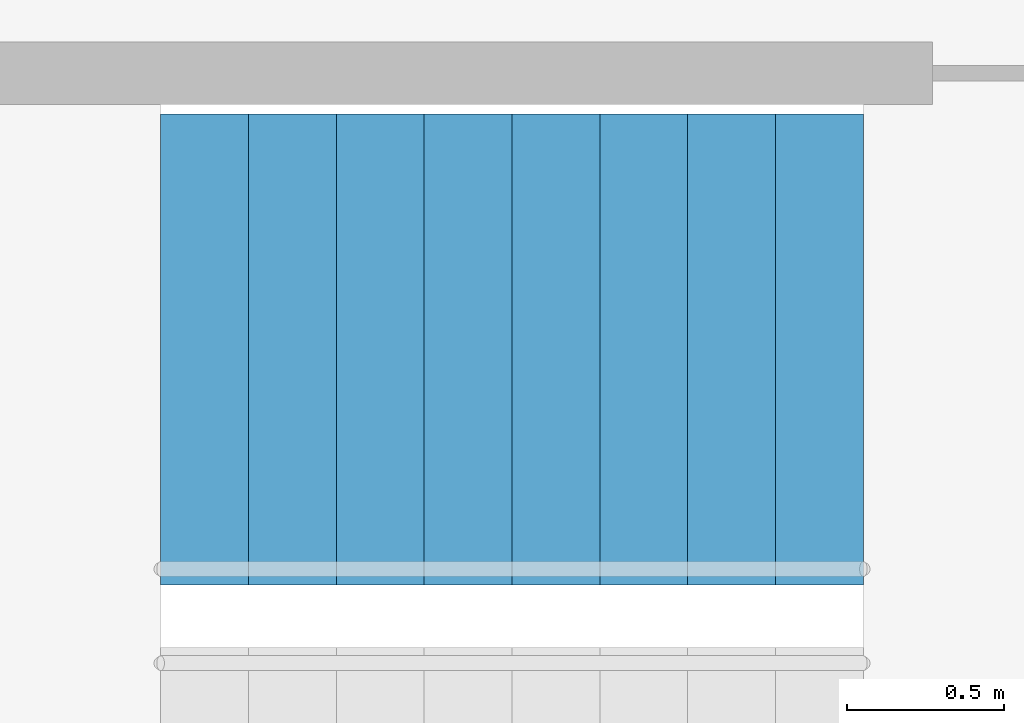
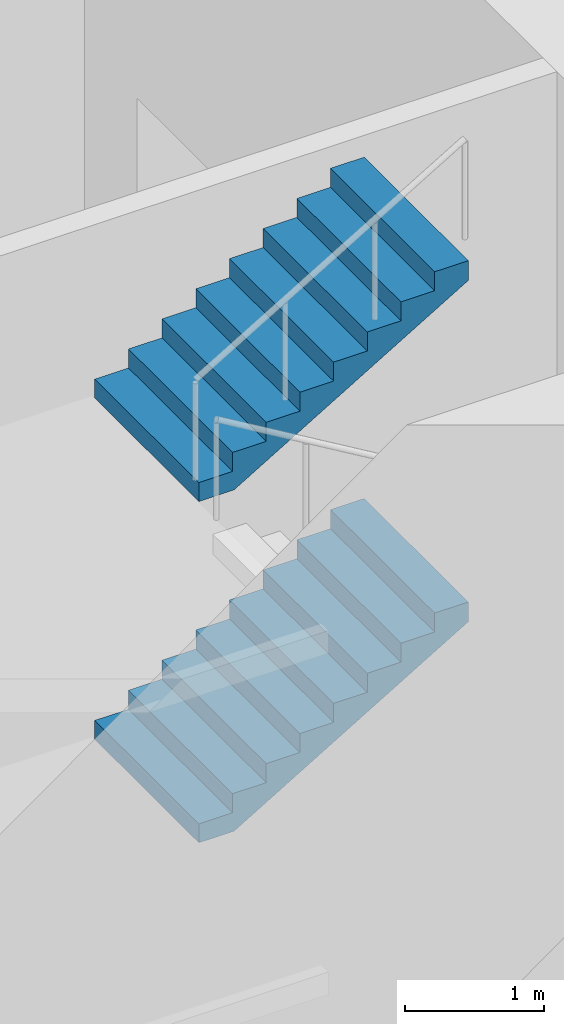
# One storey, part 20 of 21: 2 stair flights, 1 element without a shape of its own.
"""IFC4 building model written with IfcOpenShell, lengths in metres."""

from ifc_helpers import new_model, si_unit, direction, frame, origin, place, context, subcontext, project, spatial, triangles, material, type_object, element, aggregate, save


model = new_model("IFC4")

# Units and contexts
model_context = context("Model", 3, precision=1e-05, world=origin(), true_north=direction((0.0, 1.0)))
body_context = subcontext(model_context, "Body", "Model", "MODEL_VIEW")
ifc_project = project(units=[si_unit("LENGTHUNIT", "METRE"), si_unit("AREAUNIT", "SQUARE_METRE"), si_unit("VOLUMEUNIT", "CUBIC_METRE"), si_unit("PLANEANGLEUNIT", "RADIAN"), si_unit("MASSUNIT", "GRAM", prefix="KILO")], contexts=[model_context])

# Site, building, storey
site_placement = place(None, origin())
site = spatial("IfcSite", under=ifc_project, at=site_placement, CompositionType="ELEMENT")
building_placement = place(site_placement, origin())
building = spatial("IfcBuilding", under=site, at=building_placement, Name="Lantaw Convention Tower", CompositionType="ELEMENT")
storey_placement = place(building_placement, frame((0.0, 0.0, 105.39990234375)))
storey = spatial("IfcBuildingStorey", under=building, at=storey_placement, Name="L25", CompositionType="ELEMENT", Elevation=105.39990234375)

# Stair, stair flights
ifc_material = material(Name="Concrete C35/45", Category="concrete")
stair_type = type_object("IfcStairType", Name="Exit stair 1500 riser 166.67 in 4 flights", PredefinedType="HALF_TURN_STAIR", material=ifc_material)
stair_placement = place(storey_placement, origin())
stair = element("IfcStair", 1, at=stair_placement, inside=storey, type_object=stair_type, Name="Exit stair S2 L25", PredefinedType="HALF_TURN_STAIR")
stair_flight_type = type_object("IfcStairFlightType", Name="Stair flight 1500 riser 166.67", PredefinedType="STRAIGHT", material=ifc_material)
stair_flight_1_placement = place(storey_placement, frame((8.340087890625, -4.280029296875, 1.5), z_axis=(0.0, 0.0, 1.0), x_axis=(1.0, 0.0, 0.0)))
stair_flight_1 = element("IfcStairFlight", 2, at=stair_flight_1_placement, type_object=stair_flight_type, Name="S2 flight 2", NumberOfRisers=9, NumberOfTreads=8, PredefinedType="STRAIGHT", RiserHeight=0.166666667, TreadLength=0.28, context=body_context, shape_type="Tessellation", body=[
    triangles([(0.0, 0.75, 0.0), (0.0, 0.75, 0.166666667), (0.28, 0.75, 0.0), (0.28, 0.75, 0.166666667), (0.28, 0.75, 0.333333334), (0.2930734580690677, 0.75, 0.0), (0.2930734580690677, 0.75, 0.333333334), (0.56, 0.75, 0.1588848467052294), (0.56, 0.75, 0.333333334), (0.56, 0.75, 0.500000001), (0.8400000000000001, 0.75, 0.32555151370522933), (0.8400000000000001, 0.75, 0.500000001), (0.8400000000000001, 0.75, 0.666666668), (1.12, 0.75, 0.4922181807052293), (1.12, 0.75, 0.666666668), (1.12, 0.75, 0.833333335), (1.4000000000000001, 0.75, 0.6588848477052293), (1.4000000000000001, 0.75, 0.833333335), (1.4000000000000001, 0.75, 1.000000002), (1.6800000000000002, 0.75, 0.8255515147052293), (1.6800000000000002, 0.75, 1.000000002), (1.6800000000000002, 0.75, 1.166666669), (1.9600000000000002, 0.75, 0.9922181817052292), (1.9600000000000002, 0.75, 1.166666669), (1.9600000000000002, 0.75, 1.333333336), (2.24, 0.75, 1.1588848487052292), (2.24, 0.75, 1.333333336), (0.0, -0.75, 0.0), (0.0, -0.75, 0.166666667), (0.28, -0.75, 0.0), (0.28, -0.75, 0.166666667), (0.28, -0.75, 0.333333334), (0.2930734580690677, -0.75, 0.0), (0.2930734580690677, -0.75, 0.333333334), (0.56, -0.75, 0.1588848467052294), (0.56, -0.75, 0.333333334), (0.56, -0.75, 0.500000001), (0.8400000000000001, -0.75, 0.32555151370522933), (0.8400000000000001, -0.75, 0.500000001), (0.8400000000000001, -0.75, 0.666666668), (1.12, -0.75, 0.4922181807052293), (1.12, -0.75, 0.666666668), (1.12, -0.75, 0.833333335), (1.4000000000000001, -0.75, 0.6588848477052293), (1.4000000000000001, -0.75, 0.833333335), (1.4000000000000001, -0.75, 1.000000002), (1.6800000000000002, -0.75, 0.8255515147052293), (1.6800000000000002, -0.75, 1.000000002), (1.6800000000000002, -0.75, 1.166666669), (1.9600000000000002, -0.75, 0.9922181817052292), (1.9600000000000002, -0.75, 1.166666669), (1.9600000000000002, -0.75, 1.333333336), (2.24, -0.75, 1.1588848487052292), (2.24, -0.75, 1.333333336), (0.0, 0.15000000000000002, 0.166666667), (0.0, 0.15000000000000002, 0.0), (0.0, 0.0, 0.166666667), (0.0, 0.0, 0.0), (0.0, -0.15000000000000002, 0.166666667), (0.0, -0.15000000000000002, 0.0), (0.28, 0.15000000000000002, 0.333333334), (0.28, 0.15000000000000002, 0.166666667), (0.28, 0.0, 0.333333334), (0.28, 0.0, 0.166666667), (0.28, -0.15000000000000002, 0.333333334), (0.28, -0.15000000000000002, 0.166666667), (0.56, 0.15000000000000002, 0.500000001), (0.56, 0.15000000000000002, 0.333333334), (0.56, 0.0, 0.500000001), (0.56, 0.0, 0.333333334), (0.56, -0.15000000000000002, 0.500000001), (0.56, -0.15000000000000002, 0.333333334), (0.8400000000000001, 0.15000000000000002, 0.666666668), (0.8400000000000001, 0.15000000000000002, 0.500000001), (0.8400000000000001, 0.0, 0.666666668), (0.8400000000000001, 0.0, 0.500000001), (0.8400000000000001, -0.15000000000000002, 0.666666668), (0.8400000000000001, -0.15000000000000002, 0.500000001), (1.12, 0.15000000000000002, 0.833333335), (1.12, 0.15000000000000002, 0.666666668), (1.12, 0.0, 0.833333335), (1.12, 0.0, 0.666666668), (1.12, -0.15000000000000002, 0.833333335), (1.12, -0.15000000000000002, 0.666666668), (1.4000000000000001, 0.15000000000000002, 1.000000002), (1.4000000000000001, 0.15000000000000002, 0.833333335), (1.4000000000000001, 0.0, 1.000000002), (1.4000000000000001, 0.0, 0.833333335), (1.4000000000000001, -0.15000000000000002, 1.000000002), (1.4000000000000001, -0.15000000000000002, 0.833333335), (1.6800000000000002, 0.15000000000000002, 1.166666669), (1.6800000000000002, 0.15000000000000002, 1.000000002), (1.6800000000000002, 0.0, 1.166666669), (1.6800000000000002, 0.0, 1.000000002), (1.6800000000000002, -0.15000000000000002, 1.166666669), (1.6800000000000002, -0.15000000000000002, 1.000000002), (1.9600000000000002, 0.15000000000000002, 1.333333336), (1.9600000000000002, 0.15000000000000002, 1.166666669), (1.9600000000000002, 0.0, 1.333333336), (1.9600000000000002, 0.0, 1.166666669), (1.9600000000000002, -0.15000000000000002, 1.333333336), (1.9600000000000002, -0.15000000000000002, 1.166666669), (0.2930734580690677, 0.15000000000000002, 0.333333334), (0.2930734580690677, 0.0, 0.333333334), (0.2930734580690677, -0.15000000000000002, 0.333333334), (2.24, 0.15000000000000002, 1.333333336), (2.24, 0.0, 1.333333336), (2.24, -0.15000000000000002, 1.333333336), (2.24, 0.15000000000000002, 1.1588848487052292), (2.24, 0.0, 1.1588848487052292), (2.24, -0.15000000000000002, 1.1588848487052292), (1.9600000000000002, 0.15000000000000002, 0.9922181817052292), (1.9600000000000002, 0.0, 0.9922181817052292), (1.9600000000000002, -0.15000000000000002, 0.9922181817052292), (1.6800000000000002, 0.15000000000000002, 0.8255515147052293), (1.6800000000000002, 0.0, 0.8255515147052293), (1.6800000000000002, -0.15000000000000002, 0.8255515147052293), (1.4000000000000001, 0.15000000000000002, 0.6588848477052293), (1.4000000000000001, 0.0, 0.6588848477052293), (1.4000000000000001, -0.15000000000000002, 0.6588848477052293), (1.12, 0.15000000000000002, 0.4922181807052293), (1.12, 0.0, 0.4922181807052293), (1.12, -0.15000000000000002, 0.4922181807052293), (0.8400000000000001, 0.15000000000000002, 0.32555151370522933), (0.8400000000000001, 0.0, 0.32555151370522933), (0.8400000000000001, -0.15000000000000002, 0.32555151370522933), (0.56, 0.15000000000000002, 0.1588848467052294), (0.56, 0.0, 0.1588848467052294), (0.56, -0.15000000000000002, 0.1588848467052294), (0.2930734580690677, 0.15000000000000002, 0.0), (0.2930734580690677, 0.0, 0.0), (0.2930734580690677, -0.15000000000000002, 0.0), (0.28, 0.15000000000000002, 0.0), (0.28, 0.0, 0.0), (0.28, -0.15000000000000002, 0.0)], [[1, 4, 3], [1, 2, 4], [3, 4, 6], [4, 7, 6], [4, 5, 7], [6, 9, 8], [6, 7, 9], [8, 9, 11], [9, 12, 11], [9, 10, 12], [11, 12, 14], [12, 15, 14], [12, 13, 15], [14, 15, 17], [15, 18, 17], [15, 16, 18], [17, 18, 20], [18, 21, 20], [18, 19, 21], [20, 21, 23], [21, 24, 23], [21, 22, 24], [23, 24, 26], [24, 27, 26], [24, 25, 27], [28, 30, 31], [28, 31, 29], [30, 33, 31], [31, 33, 34], [31, 34, 32], [33, 35, 36], [33, 36, 34], [35, 38, 36], [36, 38, 39], [36, 39, 37], [38, 41, 39], [39, 41, 42], [39, 42, 40], [41, 44, 42], [42, 44, 45], [42, 45, 43], [44, 47, 45], [45, 47, 48], [45, 48, 46], [47, 50, 48], [48, 50, 51], [48, 51, 49], [50, 53, 51], [51, 53, 54], [51, 54, 52], [1, 55, 2], [1, 56, 55], [56, 57, 55], [56, 58, 57], [58, 59, 57], [58, 60, 59], [60, 29, 59], [60, 28, 29], [4, 61, 5], [4, 62, 61], [62, 63, 61], [62, 64, 63], [64, 65, 63], [64, 66, 65], [66, 32, 65], [66, 31, 32], [9, 67, 10], [9, 68, 67], [68, 69, 67], [68, 70, 69], [70, 71, 69], [70, 72, 71], [72, 37, 71], [72, 36, 37], [12, 73, 13], [12, 74, 73], [74, 75, 73], [74, 76, 75], [76, 77, 75], [76, 78, 77], [78, 40, 77], [78, 39, 40], [15, 79, 16], [15, 80, 79], [80, 81, 79], [80, 82, 81], [82, 83, 81], [82, 84, 83], [84, 43, 83], [84, 42, 43], [18, 85, 19], [18, 86, 85], [86, 87, 85], [86, 88, 87], [88, 89, 87], [88, 90, 89], [90, 46, 89], [90, 45, 46], [21, 91, 22], [21, 92, 91], [92, 93, 91], [92, 94, 93], [94, 95, 93], [94, 96, 95], [96, 49, 95], [96, 48, 49], [24, 97, 25], [24, 98, 97], [98, 99, 97], [98, 100, 99], [100, 101, 99], [100, 102, 101], [102, 52, 101], [102, 51, 52], [2, 62, 4], [2, 55, 62], [55, 64, 62], [55, 57, 64], [57, 66, 64], [57, 59, 66], [59, 31, 66], [59, 29, 31], [5, 103, 7], [5, 61, 103], [61, 104, 103], [61, 63, 104], [63, 105, 104], [63, 65, 105], [65, 34, 105], [65, 32, 34], [7, 68, 9], [7, 103, 68], [103, 70, 68], [103, 104, 70], [104, 72, 70], [104, 105, 72], [105, 36, 72], [105, 34, 36], [10, 74, 12], [10, 67, 74], [67, 76, 74], [67, 69, 76], [69, 78, 76], [69, 71, 78], [71, 39, 78], [71, 37, 39], [13, 80, 15], [13, 73, 80], [73, 82, 80], [73, 75, 82], [75, 84, 82], [75, 77, 84], [77, 42, 84], [77, 40, 42], [16, 86, 18], [16, 79, 86], [79, 88, 86], [79, 81, 88], [81, 90, 88], [81, 83, 90], [83, 45, 90], [83, 43, 45], [19, 92, 21], [19, 85, 92], [85, 94, 92], [85, 87, 94], [87, 96, 94], [87, 89, 96], [89, 48, 96], [89, 46, 48], [22, 98, 24], [22, 91, 98], [91, 100, 98], [91, 93, 100], [93, 102, 100], [93, 95, 102], [95, 51, 102], [95, 49, 51], [25, 106, 27], [25, 97, 106], [97, 107, 106], [97, 99, 107], [99, 108, 107], [99, 101, 108], [101, 54, 108], [101, 52, 54], [27, 109, 26], [27, 106, 109], [106, 110, 109], [106, 107, 110], [107, 111, 110], [107, 108, 111], [108, 53, 111], [108, 54, 53], [26, 112, 23], [26, 109, 112], [109, 113, 112], [109, 110, 113], [110, 114, 113], [110, 111, 114], [111, 50, 114], [111, 53, 50], [23, 115, 20], [23, 112, 115], [112, 116, 115], [112, 113, 116], [113, 117, 116], [113, 114, 117], [114, 47, 117], [114, 50, 47], [20, 118, 17], [20, 115, 118], [115, 119, 118], [115, 116, 119], [116, 120, 119], [116, 117, 120], [117, 44, 120], [117, 47, 44], [17, 121, 14], [17, 118, 121], [118, 122, 121], [118, 119, 122], [119, 123, 122], [119, 120, 123], [120, 41, 123], [120, 44, 41], [14, 124, 11], [14, 121, 124], [121, 125, 124], [121, 122, 125], [122, 126, 125], [122, 123, 126], [123, 38, 126], [123, 41, 38], [11, 127, 8], [11, 124, 127], [124, 128, 127], [124, 125, 128], [125, 129, 128], [125, 126, 129], [126, 35, 129], [126, 38, 35], [8, 130, 6], [8, 127, 130], [127, 131, 130], [127, 128, 131], [128, 132, 131], [128, 129, 132], [129, 33, 132], [129, 35, 33], [6, 133, 3], [6, 130, 133], [130, 134, 133], [130, 131, 134], [131, 135, 134], [131, 132, 135], [132, 30, 135], [132, 33, 30], [3, 56, 1], [3, 133, 56], [133, 58, 56], [133, 134, 58], [134, 60, 58], [134, 135, 60], [135, 28, 60], [135, 30, 28]], closed=True),
])
stair_flight_2_placement = place(storey_placement, frame((8.340087890625, -4.280029296875, 4.5), z_axis=(0.0, 0.0, 1.0), x_axis=(1.0, 0.0, 0.0)))
stair_flight_2 = element("IfcStairFlight", 3, at=stair_flight_2_placement, type_object=stair_flight_type, Name="S2 flight 4", NumberOfRisers=9, NumberOfTreads=8, PredefinedType="STRAIGHT", RiserHeight=0.166666667, TreadLength=0.28, context=body_context, shape_type="Tessellation", body=[
    triangles([(0.0, 0.75, 0.0), (0.0, 0.75, 0.166666667), (0.28, 0.75, 0.0), (0.28, 0.75, 0.166666667), (0.28, 0.75, 0.333333334), (0.2930734580690677, 0.75, 0.0), (0.2930734580690677, 0.75, 0.333333334), (0.56, 0.75, 0.1588848467052294), (0.56, 0.75, 0.333333334), (0.56, 0.75, 0.500000001), (0.8400000000000001, 0.75, 0.32555151370522933), (0.8400000000000001, 0.75, 0.500000001), (0.8400000000000001, 0.75, 0.666666668), (1.12, 0.75, 0.4922181807052293), (1.12, 0.75, 0.666666668), (1.12, 0.75, 0.833333335), (1.4000000000000001, 0.75, 0.6588848477052293), (1.4000000000000001, 0.75, 0.833333335), (1.4000000000000001, 0.75, 1.000000002), (1.6800000000000002, 0.75, 0.8255515147052293), (1.6800000000000002, 0.75, 1.000000002), (1.6800000000000002, 0.75, 1.166666669), (1.9600000000000002, 0.75, 0.9922181817052292), (1.9600000000000002, 0.75, 1.166666669), (1.9600000000000002, 0.75, 1.333333336), (2.24, 0.75, 1.1588848487052292), (2.24, 0.75, 1.333333336), (0.0, -0.75, 0.0), (0.0, -0.75, 0.166666667), (0.28, -0.75, 0.0), (0.28, -0.75, 0.166666667), (0.28, -0.75, 0.333333334), (0.2930734580690677, -0.75, 0.0), (0.2930734580690677, -0.75, 0.333333334), (0.56, -0.75, 0.1588848467052294), (0.56, -0.75, 0.333333334), (0.56, -0.75, 0.500000001), (0.8400000000000001, -0.75, 0.32555151370522933), (0.8400000000000001, -0.75, 0.500000001), (0.8400000000000001, -0.75, 0.666666668), (1.12, -0.75, 0.4922181807052293), (1.12, -0.75, 0.666666668), (1.12, -0.75, 0.833333335), (1.4000000000000001, -0.75, 0.6588848477052293), (1.4000000000000001, -0.75, 0.833333335), (1.4000000000000001, -0.75, 1.000000002), (1.6800000000000002, -0.75, 0.8255515147052293), (1.6800000000000002, -0.75, 1.000000002), (1.6800000000000002, -0.75, 1.166666669), (1.9600000000000002, -0.75, 0.9922181817052292), (1.9600000000000002, -0.75, 1.166666669), (1.9600000000000002, -0.75, 1.333333336), (2.24, -0.75, 1.1588848487052292), (2.24, -0.75, 1.333333336), (0.0, 0.15000000000000002, 0.166666667), (0.0, 0.15000000000000002, 0.0), (0.0, 0.0, 0.166666667), (0.0, 0.0, 0.0), (0.0, -0.15000000000000002, 0.166666667), (0.0, -0.15000000000000002, 0.0), (0.28, 0.15000000000000002, 0.333333334), (0.28, 0.15000000000000002, 0.166666667), (0.28, 0.0, 0.333333334), (0.28, 0.0, 0.166666667), (0.28, -0.15000000000000002, 0.333333334), (0.28, -0.15000000000000002, 0.166666667), (0.56, 0.15000000000000002, 0.500000001), (0.56, 0.15000000000000002, 0.333333334), (0.56, 0.0, 0.500000001), (0.56, 0.0, 0.333333334), (0.56, -0.15000000000000002, 0.500000001), (0.56, -0.15000000000000002, 0.333333334), (0.8400000000000001, 0.15000000000000002, 0.666666668), (0.8400000000000001, 0.15000000000000002, 0.500000001), (0.8400000000000001, 0.0, 0.666666668), (0.8400000000000001, 0.0, 0.500000001), (0.8400000000000001, -0.15000000000000002, 0.666666668), (0.8400000000000001, -0.15000000000000002, 0.500000001), (1.12, 0.15000000000000002, 0.833333335), (1.12, 0.15000000000000002, 0.666666668), (1.12, 0.0, 0.833333335), (1.12, 0.0, 0.666666668), (1.12, -0.15000000000000002, 0.833333335), (1.12, -0.15000000000000002, 0.666666668), (1.4000000000000001, 0.15000000000000002, 1.000000002), (1.4000000000000001, 0.15000000000000002, 0.833333335), (1.4000000000000001, 0.0, 1.000000002), (1.4000000000000001, 0.0, 0.833333335), (1.4000000000000001, -0.15000000000000002, 1.000000002), (1.4000000000000001, -0.15000000000000002, 0.833333335), (1.6800000000000002, 0.15000000000000002, 1.166666669), (1.6800000000000002, 0.15000000000000002, 1.000000002), (1.6800000000000002, 0.0, 1.166666669), (1.6800000000000002, 0.0, 1.000000002), (1.6800000000000002, -0.15000000000000002, 1.166666669), (1.6800000000000002, -0.15000000000000002, 1.000000002), (1.9600000000000002, 0.15000000000000002, 1.333333336), (1.9600000000000002, 0.15000000000000002, 1.166666669), (1.9600000000000002, 0.0, 1.333333336), (1.9600000000000002, 0.0, 1.166666669), (1.9600000000000002, -0.15000000000000002, 1.333333336), (1.9600000000000002, -0.15000000000000002, 1.166666669), (0.2930734580690677, 0.15000000000000002, 0.333333334), (0.2930734580690677, 0.0, 0.333333334), (0.2930734580690677, -0.15000000000000002, 0.333333334), (2.24, 0.15000000000000002, 1.333333336), (2.24, 0.0, 1.333333336), (2.24, -0.15000000000000002, 1.333333336), (2.24, 0.15000000000000002, 1.1588848487052292), (2.24, 0.0, 1.1588848487052292), (2.24, -0.15000000000000002, 1.1588848487052292), (1.9600000000000002, 0.15000000000000002, 0.9922181817052292), (1.9600000000000002, 0.0, 0.9922181817052292), (1.9600000000000002, -0.15000000000000002, 0.9922181817052292), (1.6800000000000002, 0.15000000000000002, 0.8255515147052293), (1.6800000000000002, 0.0, 0.8255515147052293), (1.6800000000000002, -0.15000000000000002, 0.8255515147052293), (1.4000000000000001, 0.15000000000000002, 0.6588848477052293), (1.4000000000000001, 0.0, 0.6588848477052293), (1.4000000000000001, -0.15000000000000002, 0.6588848477052293), (1.12, 0.15000000000000002, 0.4922181807052293), (1.12, 0.0, 0.4922181807052293), (1.12, -0.15000000000000002, 0.4922181807052293), (0.8400000000000001, 0.15000000000000002, 0.32555151370522933), (0.8400000000000001, 0.0, 0.32555151370522933), (0.8400000000000001, -0.15000000000000002, 0.32555151370522933), (0.56, 0.15000000000000002, 0.1588848467052294), (0.56, 0.0, 0.1588848467052294), (0.56, -0.15000000000000002, 0.1588848467052294), (0.2930734580690677, 0.15000000000000002, 0.0), (0.2930734580690677, 0.0, 0.0), (0.2930734580690677, -0.15000000000000002, 0.0), (0.28, 0.15000000000000002, 0.0), (0.28, 0.0, 0.0), (0.28, -0.15000000000000002, 0.0)], [[1, 4, 3], [1, 2, 4], [3, 4, 6], [4, 7, 6], [4, 5, 7], [6, 9, 8], [6, 7, 9], [8, 9, 11], [9, 12, 11], [9, 10, 12], [11, 12, 14], [12, 15, 14], [12, 13, 15], [14, 15, 17], [15, 18, 17], [15, 16, 18], [17, 18, 20], [18, 21, 20], [18, 19, 21], [20, 21, 23], [21, 24, 23], [21, 22, 24], [23, 24, 26], [24, 27, 26], [24, 25, 27], [28, 30, 31], [28, 31, 29], [30, 33, 31], [31, 33, 34], [31, 34, 32], [33, 35, 36], [33, 36, 34], [35, 38, 36], [36, 38, 39], [36, 39, 37], [38, 41, 39], [39, 41, 42], [39, 42, 40], [41, 44, 42], [42, 44, 45], [42, 45, 43], [44, 47, 45], [45, 47, 48], [45, 48, 46], [47, 50, 48], [48, 50, 51], [48, 51, 49], [50, 53, 51], [51, 53, 54], [51, 54, 52], [1, 55, 2], [1, 56, 55], [56, 57, 55], [56, 58, 57], [58, 59, 57], [58, 60, 59], [60, 29, 59], [60, 28, 29], [4, 61, 5], [4, 62, 61], [62, 63, 61], [62, 64, 63], [64, 65, 63], [64, 66, 65], [66, 32, 65], [66, 31, 32], [9, 67, 10], [9, 68, 67], [68, 69, 67], [68, 70, 69], [70, 71, 69], [70, 72, 71], [72, 37, 71], [72, 36, 37], [12, 73, 13], [12, 74, 73], [74, 75, 73], [74, 76, 75], [76, 77, 75], [76, 78, 77], [78, 40, 77], [78, 39, 40], [15, 79, 16], [15, 80, 79], [80, 81, 79], [80, 82, 81], [82, 83, 81], [82, 84, 83], [84, 43, 83], [84, 42, 43], [18, 85, 19], [18, 86, 85], [86, 87, 85], [86, 88, 87], [88, 89, 87], [88, 90, 89], [90, 46, 89], [90, 45, 46], [21, 91, 22], [21, 92, 91], [92, 93, 91], [92, 94, 93], [94, 95, 93], [94, 96, 95], [96, 49, 95], [96, 48, 49], [24, 97, 25], [24, 98, 97], [98, 99, 97], [98, 100, 99], [100, 101, 99], [100, 102, 101], [102, 52, 101], [102, 51, 52], [2, 62, 4], [2, 55, 62], [55, 64, 62], [55, 57, 64], [57, 66, 64], [57, 59, 66], [59, 31, 66], [59, 29, 31], [5, 103, 7], [5, 61, 103], [61, 104, 103], [61, 63, 104], [63, 105, 104], [63, 65, 105], [65, 34, 105], [65, 32, 34], [7, 68, 9], [7, 103, 68], [103, 70, 68], [103, 104, 70], [104, 72, 70], [104, 105, 72], [105, 36, 72], [105, 34, 36], [10, 74, 12], [10, 67, 74], [67, 76, 74], [67, 69, 76], [69, 78, 76], [69, 71, 78], [71, 39, 78], [71, 37, 39], [13, 80, 15], [13, 73, 80], [73, 82, 80], [73, 75, 82], [75, 84, 82], [75, 77, 84], [77, 42, 84], [77, 40, 42], [16, 86, 18], [16, 79, 86], [79, 88, 86], [79, 81, 88], [81, 90, 88], [81, 83, 90], [83, 45, 90], [83, 43, 45], [19, 92, 21], [19, 85, 92], [85, 94, 92], [85, 87, 94], [87, 96, 94], [87, 89, 96], [89, 48, 96], [89, 46, 48], [22, 98, 24], [22, 91, 98], [91, 100, 98], [91, 93, 100], [93, 102, 100], [93, 95, 102], [95, 51, 102], [95, 49, 51], [25, 106, 27], [25, 97, 106], [97, 107, 106], [97, 99, 107], [99, 108, 107], [99, 101, 108], [101, 54, 108], [101, 52, 54], [27, 109, 26], [27, 106, 109], [106, 110, 109], [106, 107, 110], [107, 111, 110], [107, 108, 111], [108, 53, 111], [108, 54, 53], [26, 112, 23], [26, 109, 112], [109, 113, 112], [109, 110, 113], [110, 114, 113], [110, 111, 114], [111, 50, 114], [111, 53, 50], [23, 115, 20], [23, 112, 115], [112, 116, 115], [112, 113, 116], [113, 117, 116], [113, 114, 117], [114, 47, 117], [114, 50, 47], [20, 118, 17], [20, 115, 118], [115, 119, 118], [115, 116, 119], [116, 120, 119], [116, 117, 120], [117, 44, 120], [117, 47, 44], [17, 121, 14], [17, 118, 121], [118, 122, 121], [118, 119, 122], [119, 123, 122], [119, 120, 123], [120, 41, 123], [120, 44, 41], [14, 124, 11], [14, 121, 124], [121, 125, 124], [121, 122, 125], [122, 126, 125], [122, 123, 126], [123, 38, 126], [123, 41, 38], [11, 127, 8], [11, 124, 127], [124, 128, 127], [124, 125, 128], [125, 129, 128], [125, 126, 129], [126, 35, 129], [126, 38, 35], [8, 130, 6], [8, 127, 130], [127, 131, 130], [127, 128, 131], [128, 132, 131], [128, 129, 132], [129, 33, 132], [129, 35, 33], [6, 133, 3], [6, 130, 133], [130, 134, 133], [130, 131, 134], [131, 135, 134], [131, 132, 135], [132, 30, 135], [132, 33, 30], [3, 56, 1], [3, 133, 56], [133, 58, 56], [133, 134, 58], [134, 60, 58], [134, 135, 60], [135, 28, 60], [135, 30, 28]], closed=True),
])
aggregate(stair, [stair_flight_1, stair_flight_2])

save(model, "model.ifc")
